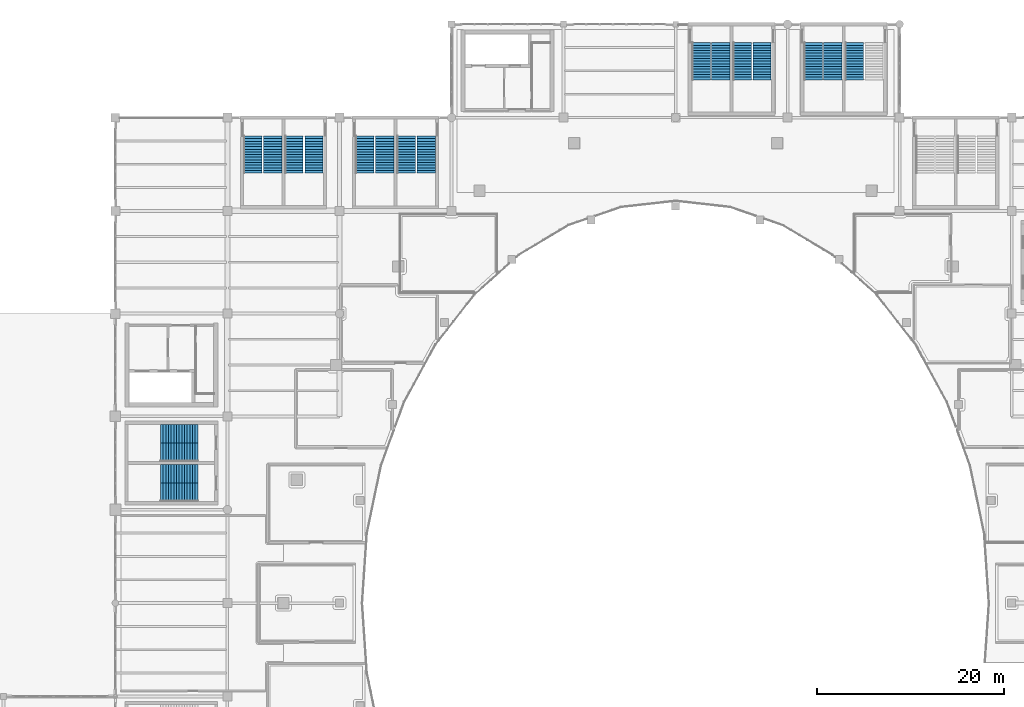
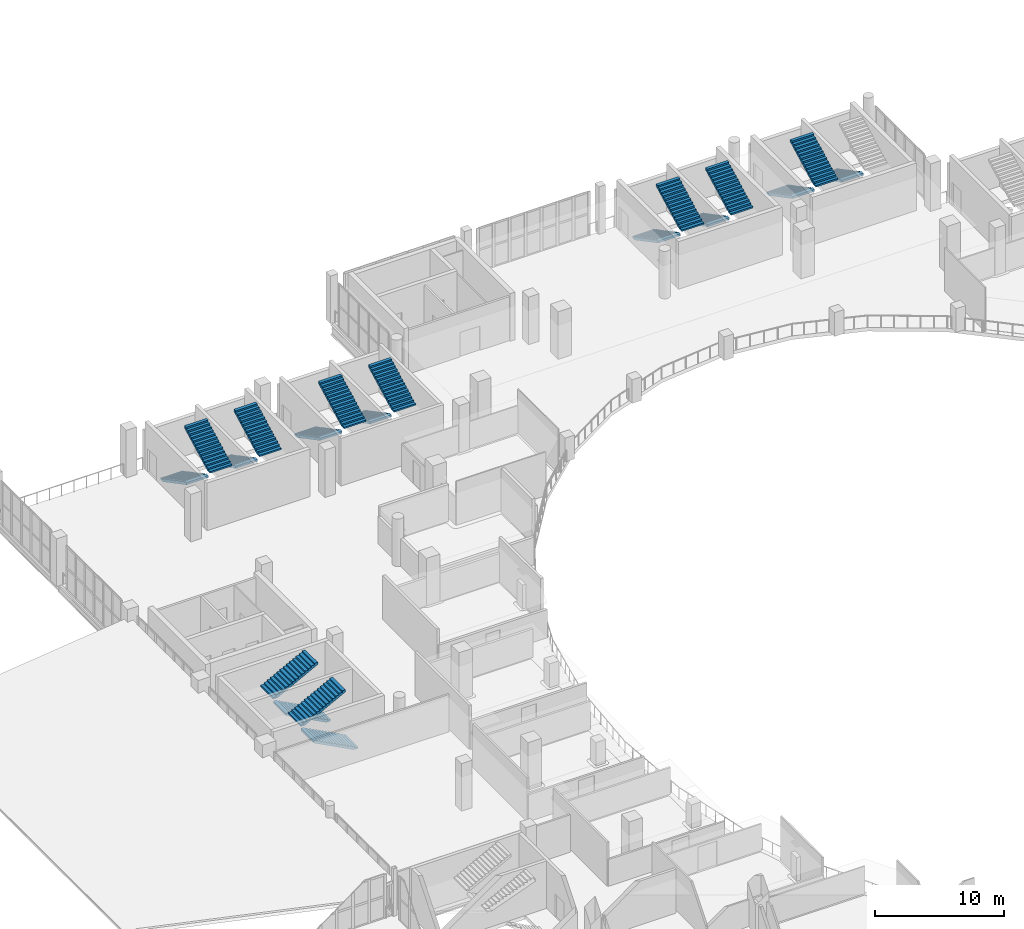
# One storey, part 70 of 90: 19 stair flights, 10 elements without a shape of their own.
"""IFC4 building model written with IfcOpenShell, lengths in metres."""

from ifc_helpers import new_model, si_unit, direction, frame, origin, place, context, subcontext, project, spatial, polyline, outline, extrude, material, layer, layer_set, type_object, element, aggregate, save


model = new_model("IFC4")

# Units and contexts
model_context = context("Model", 3, precision=1e-05, world=origin(), true_north=direction((0.0, 1.0)))
body_context = subcontext(model_context, "Body", "Model", "MODEL_VIEW")
ifc_project = project(units=[si_unit("LENGTHUNIT", "METRE"), si_unit("AREAUNIT", "SQUARE_METRE"), si_unit("VOLUMEUNIT", "CUBIC_METRE"), si_unit("PLANEANGLEUNIT", "RADIAN"), si_unit("MASSUNIT", "GRAM", prefix="KILO")], contexts=[model_context])

# Site, building, storey
site_placement = place(None, origin())
site = spatial("IfcSite", under=ifc_project, at=site_placement, CompositionType="ELEMENT")
building_placement = place(site_placement, origin())
building = spatial("IfcBuilding", under=site, at=building_placement, Name="Brinegate Civic Arena", CompositionType="ELEMENT")
storey_placement = place(building_placement, frame((0.0, 0.0, 14.699951171875)))
storey = spatial("IfcBuildingStorey", under=building, at=storey_placement, Name="L03", CompositionType="ELEMENT", Elevation=14.699951171875)

# Stair, stair flights
ifc_material = material(Name="Concrete C40/50", Category="concrete")
stair_type_1 = type_object("IfcStairType", Name="STAIR-EXIT-3700", PredefinedType="HALF_TURN_STAIR", material=ifc_material)
stair_1_placement = place(storey_placement, origin())
stair_1 = element("IfcStair", 1, at=stair_1_placement, inside=storey, type_object=stair_type_1, Name="Protected Exit Stair ST-01B (L03)", PredefinedType="HALF_TURN_STAIR")
ifc_layer_1 = layer(ifc_material, 0.179931640625, Name="Concrete C40/50")
ifc_layer_set_1 = layer_set([ifc_layer_1], Name="Concrete C40/50")
stair_flight_type_1 = type_object("IfcStairFlightType", Name="FLIGHT-EXIT-3700", PredefinedType="STRAIGHT", material=ifc_layer_set_1)
stair_flight_1_placement = place(storey_placement, frame((67.139892578125, 112.030029296875, 0.0), z_axis=(0.0, 0.0, 1.0), x_axis=(0.0, -1.0, 0.0)))
stair_flight_1 = element("IfcStairFlight", 2, at=stair_flight_1_placement, type_object=stair_flight_type_1, Name="ST-01B flight 1", NumberOfRisers=15, NumberOfTreads=14, PredefinedType="STRAIGHT", RiserHeight=0.15, TreadLength=0.285, context=body_context, shape_type="SweptSolid", body=[
    extrude(outline(polyline([(0.0, 0.0), (0.0, 0.14990234375), (0.284912109375, 0.14990234375), (0.284912109375, 0.300048828125), (0.570068359375, 0.300048828125), (0.570068359375, 0.449951171875), (0.85498046875, 0.449951171875), (0.85498046875, 0.60009765625), (1.139892578125, 0.60009765625), (1.139892578125, 0.75), (1.425048828125, 0.75), (1.425048828125, 0.89990234375), (1.7099609375, 0.89990234375), (1.7099609375, 1.050048828125), (1.9951171875, 1.050048828125), (1.9951171875, 1.199951171875), (2.280029296875, 1.199951171875), (2.280029296875, 1.35009765625), (2.56494140625, 1.35009765625), (2.56494140625, 1.5), (2.85009765625, 1.5), (2.85009765625, 1.64990234375), (3.135009765625, 1.64990234375), (3.135009765625, 1.800048828125), (3.419921875, 1.800048828125), (3.419921875, 1.949951171875), (3.705078125, 1.949951171875), (3.705078125, 2.10009765625), (3.989990234375, 2.10009765625), (3.989990234375, 2.25), (3.989990234375, 1.896728515625), (0.38623046875, 0.0), (0.0, 0.0)])), frame((0.0, 0.97998046875, 0.0), z_axis=(0.0, -1.0, 0.0), x_axis=(1.0, 0.0, 0.0)), (0.0, 0.0, 1.0), 1.9599609375),
])
stair_flight_2_placement = place(storey_placement, frame((69.280029296875, 108.0400390625, 2.25), z_axis=(0.0, 0.0, 1.0), x_axis=(0.0, 1.0, 0.0)))
stair_flight_2 = element("IfcStairFlight", 3, at=stair_flight_2_placement, type_object=stair_flight_type_1, Name="ST-01B flight 2", NumberOfRisers=15, NumberOfTreads=14, PredefinedType="STRAIGHT", RiserHeight=0.15, TreadLength=0.285, context=body_context, shape_type="SweptSolid", body=[
    extrude(outline(polyline([(0.0, 0.0), (0.0, 0.14990234375), (0.284912109375, 0.14990234375), (0.284912109375, 0.300048828125), (0.570068359375, 0.300048828125), (0.570068359375, 0.449951171875), (0.85498046875, 0.449951171875), (0.85498046875, 0.60009765625), (1.139892578125, 0.60009765625), (1.139892578125, 0.75), (1.425048828125, 0.75), (1.425048828125, 0.89990234375), (1.7099609375, 0.89990234375), (1.7099609375, 1.050048828125), (1.9951171875, 1.050048828125), (1.9951171875, 1.199951171875), (2.280029296875, 1.199951171875), (2.280029296875, 1.35009765625), (2.56494140625, 1.35009765625), (2.56494140625, 1.5), (2.85009765625, 1.5), (2.85009765625, 1.64990234375), (3.135009765625, 1.64990234375), (3.135009765625, 1.800048828125), (3.419921875, 1.800048828125), (3.419921875, 1.949951171875), (3.705078125, 1.949951171875), (3.705078125, 2.10009765625), (3.989990234375, 2.10009765625), (3.989990234375, 2.25), (3.989990234375, 1.896728515625), (0.38623046875, 0.0), (0.0, 0.0)])), frame((0.0, 0.97998046875, 0.0), z_axis=(0.0, -1.0, 0.0), x_axis=(1.0, 0.0, 0.0)), (0.0, 0.0, 1.0), 1.9599609375),
])
aggregate(stair_1, [stair_flight_1, stair_flight_2])

# Stair, stair flight
stair_2_placement = place(storey_placement, origin())
stair_2 = element("IfcStair", 4, at=stair_2_placement, inside=storey, type_object=stair_type_1, Name="Protected Exit Stair ST-03B (L03)", PredefinedType="HALF_TURN_STAIR")
stair_flight_3_placement = place(storey_placement, frame((127.139892578125, 122.030029296875, 0.0), z_axis=(0.0, 0.0, 1.0), x_axis=(0.0, -1.0, 0.0)))
stair_flight_3 = element("IfcStairFlight", 5, at=stair_flight_3_placement, type_object=stair_flight_type_1, Name="ST-03B flight 1", NumberOfRisers=15, NumberOfTreads=14, PredefinedType="STRAIGHT", RiserHeight=0.15, TreadLength=0.285, context=body_context, shape_type="SweptSolid", body=[
    extrude(outline(polyline([(0.0, 0.0), (0.0, 0.14990234375), (0.284912109375, 0.14990234375), (0.284912109375, 0.300048828125), (0.570068359375, 0.300048828125), (0.570068359375, 0.449951171875), (0.85498046875, 0.449951171875), (0.85498046875, 0.60009765625), (1.139892578125, 0.60009765625), (1.139892578125, 0.75), (1.425048828125, 0.75), (1.425048828125, 0.89990234375), (1.7099609375, 0.89990234375), (1.7099609375, 1.050048828125), (1.9951171875, 1.050048828125), (1.9951171875, 1.199951171875), (2.280029296875, 1.199951171875), (2.280029296875, 1.35009765625), (2.56494140625, 1.35009765625), (2.56494140625, 1.5), (2.85009765625, 1.5), (2.85009765625, 1.64990234375), (3.135009765625, 1.64990234375), (3.135009765625, 1.800048828125), (3.419921875, 1.800048828125), (3.419921875, 1.949951171875), (3.705078125, 1.949951171875), (3.705078125, 2.10009765625), (3.989990234375, 2.10009765625), (3.989990234375, 2.25), (3.989990234375, 1.896728515625), (0.38623046875, 0.0), (0.0, 0.0)])), frame((0.0, 0.97998046875, 0.0), z_axis=(0.0, -1.0, 0.0), x_axis=(1.0, 0.0, 0.0)), (0.0, 0.0, 1.0), 1.9599609375),
])
aggregate(stair_2, [stair_flight_3])

# Stair, stair flights
stair_3_placement = place(storey_placement, origin())
stair_3 = element("IfcStair", 6, at=stair_3_placement, inside=storey, type_object=stair_type_1, Name="Protected Exit Stair ST-07B (L03)", PredefinedType="HALF_TURN_STAIR")
stair_flight_4_placement = place(storey_placement, frame((56.830078125, 78.139892578125, 0.0), z_axis=(0.0, 0.0, 1.0), x_axis=(-1.0, 0.0, 0.0)))
stair_flight_4 = element("IfcStairFlight", 7, at=stair_flight_4_placement, type_object=stair_flight_type_1, Name="ST-07B flight 1", NumberOfRisers=15, NumberOfTreads=14, PredefinedType="STRAIGHT", RiserHeight=0.15, TreadLength=0.285, context=body_context, shape_type="SweptSolid", body=[
    extrude(outline(polyline([(0.0, 0.0), (0.0, 0.14990234375), (0.284912109375, 0.14990234375), (0.284912109375, 0.300048828125), (0.570068359375, 0.300048828125), (0.570068359375, 0.449951171875), (0.85498046875, 0.449951171875), (0.85498046875, 0.60009765625), (1.139892578125, 0.60009765625), (1.139892578125, 0.75), (1.425048828125, 0.75), (1.425048828125, 0.89990234375), (1.7099609375, 0.89990234375), (1.7099609375, 1.050048828125), (1.9951171875, 1.050048828125), (1.9951171875, 1.199951171875), (2.280029296875, 1.199951171875), (2.280029296875, 1.35009765625), (2.56494140625, 1.35009765625), (2.56494140625, 1.5), (2.85009765625, 1.5), (2.85009765625, 1.64990234375), (3.135009765625, 1.64990234375), (3.135009765625, 1.800048828125), (3.419921875, 1.800048828125), (3.419921875, 1.949951171875), (3.705078125, 1.949951171875), (3.705078125, 2.10009765625), (3.989990234375, 2.10009765625), (3.989990234375, 2.25), (3.989990234375, 1.896728515625), (0.38623046875, 0.0), (0.0, 0.0)])), frame((0.0, 0.97998046875, 0.0), z_axis=(0.0, -1.0, 0.0), x_axis=(1.0, 0.0, 0.0)), (0.0, 0.0, 1.0), 1.9599609375),
])
stair_flight_5_placement = place(storey_placement, frame((52.840087890625, 80.1298828125, 2.25), z_axis=(0.0, 0.0, 1.0), x_axis=(1.0, 0.0, 0.0)))
stair_flight_5 = element("IfcStairFlight", 8, at=stair_flight_5_placement, type_object=stair_flight_type_1, Name="ST-07B flight 2", NumberOfRisers=15, NumberOfTreads=14, PredefinedType="STRAIGHT", RiserHeight=0.15, TreadLength=0.285, context=body_context, shape_type="SweptSolid", body=[
    extrude(outline(polyline([(0.0, 0.0), (0.0, 0.14990234375), (0.284912109375, 0.14990234375), (0.284912109375, 0.300048828125), (0.570068359375, 0.300048828125), (0.570068359375, 0.449951171875), (0.85498046875, 0.449951171875), (0.85498046875, 0.60009765625), (1.139892578125, 0.60009765625), (1.139892578125, 0.75), (1.425048828125, 0.75), (1.425048828125, 0.89990234375), (1.7099609375, 0.89990234375), (1.7099609375, 1.050048828125), (1.9951171875, 1.050048828125), (1.9951171875, 1.199951171875), (2.280029296875, 1.199951171875), (2.280029296875, 1.35009765625), (2.56494140625, 1.35009765625), (2.56494140625, 1.5), (2.85009765625, 1.5), (2.85009765625, 1.64990234375), (3.135009765625, 1.64990234375), (3.135009765625, 1.800048828125), (3.419921875, 1.800048828125), (3.419921875, 1.949951171875), (3.705078125, 1.949951171875), (3.705078125, 2.10009765625), (3.989990234375, 2.10009765625), (3.989990234375, 2.25), (3.989990234375, 1.896728515625), (0.38623046875, 0.0), (0.0, 0.0)])), frame((0.0, 0.97998046875, 0.0), z_axis=(0.0, -1.0, 0.0), x_axis=(1.0, 0.0, 0.0)), (0.0, 0.0, 1.0), 1.9599609375),
])
aggregate(stair_3, [stair_flight_4, stair_flight_5])

stair_4_placement = place(storey_placement, origin())
stair_4 = element("IfcStair", 9, at=stair_4_placement, inside=storey, type_object=stair_type_1, Name="Protected Exit Stair ST-11B (L03)", PredefinedType="HALF_TURN_STAIR")
stair_flight_6_placement = place(storey_placement, frame((79.139892578125, 112.030029296875, 0.0), z_axis=(0.0, 0.0, 1.0), x_axis=(0.0, -1.0, 0.0)))
stair_flight_6 = element("IfcStairFlight", 10, at=stair_flight_6_placement, type_object=stair_flight_type_1, Name="ST-11B flight 1", NumberOfRisers=15, NumberOfTreads=14, PredefinedType="STRAIGHT", RiserHeight=0.15, TreadLength=0.285, context=body_context, shape_type="SweptSolid", body=[
    extrude(outline(polyline([(0.0, 0.0), (0.0, 0.14990234375), (0.284912109375, 0.14990234375), (0.284912109375, 0.300048828125), (0.570068359375, 0.300048828125), (0.570068359375, 0.449951171875), (0.85498046875, 0.449951171875), (0.85498046875, 0.60009765625), (1.139892578125, 0.60009765625), (1.139892578125, 0.75), (1.425048828125, 0.75), (1.425048828125, 0.89990234375), (1.7099609375, 0.89990234375), (1.7099609375, 1.050048828125), (1.9951171875, 1.050048828125), (1.9951171875, 1.199951171875), (2.280029296875, 1.199951171875), (2.280029296875, 1.35009765625), (2.56494140625, 1.35009765625), (2.56494140625, 1.5), (2.85009765625, 1.5), (2.85009765625, 1.64990234375), (3.135009765625, 1.64990234375), (3.135009765625, 1.800048828125), (3.419921875, 1.800048828125), (3.419921875, 1.949951171875), (3.705078125, 1.949951171875), (3.705078125, 2.10009765625), (3.989990234375, 2.10009765625), (3.989990234375, 2.25), (3.989990234375, 1.896728515625), (0.38623046875, 0.0), (0.0, 0.0)])), frame((0.0, 0.97998046875, 0.0), z_axis=(0.0, -1.0, 0.0), x_axis=(1.0, 0.0, 0.0)), (0.0, 0.0, 1.0), 1.9599609375),
])
stair_flight_7_placement = place(storey_placement, frame((81.31005859375, 108.0400390625, 2.25), z_axis=(0.0, 0.0, 1.0), x_axis=(0.0, 1.0, 0.0)))
stair_flight_7 = element("IfcStairFlight", 11, at=stair_flight_7_placement, type_object=stair_flight_type_1, Name="ST-11B flight 2", NumberOfRisers=15, NumberOfTreads=14, PredefinedType="STRAIGHT", RiserHeight=0.15, TreadLength=0.285, context=body_context, shape_type="SweptSolid", body=[
    extrude(outline(polyline([(0.0, 0.0), (0.0, 0.14990234375), (0.284912109375, 0.14990234375), (0.284912109375, 0.300048828125), (0.570068359375, 0.300048828125), (0.570068359375, 0.449951171875), (0.85498046875, 0.449951171875), (0.85498046875, 0.60009765625), (1.139892578125, 0.60009765625), (1.139892578125, 0.75), (1.425048828125, 0.75), (1.425048828125, 0.89990234375), (1.7099609375, 0.89990234375), (1.7099609375, 1.050048828125), (1.9951171875, 1.050048828125), (1.9951171875, 1.199951171875), (2.280029296875, 1.199951171875), (2.280029296875, 1.35009765625), (2.56494140625, 1.35009765625), (2.56494140625, 1.5), (2.85009765625, 1.5), (2.85009765625, 1.64990234375), (3.135009765625, 1.64990234375), (3.135009765625, 1.800048828125), (3.419921875, 1.800048828125), (3.419921875, 1.949951171875), (3.705078125, 1.949951171875), (3.705078125, 2.10009765625), (3.989990234375, 2.10009765625), (3.989990234375, 2.25), (3.989990234375, 1.896728515625), (0.38623046875, 0.0), (0.0, 0.0)])), frame((0.0, 0.97998046875, 0.0), z_axis=(0.0, -1.0, 0.0), x_axis=(1.0, 0.0, 0.0)), (0.0, 0.0, 1.0), 1.9599609375),
])
aggregate(stair_4, [stair_flight_6, stair_flight_7])

stair_5_placement = place(storey_placement, origin())
stair_5 = element("IfcStair", 12, at=stair_5_placement, inside=storey, type_object=stair_type_1, Name="Protected Exit Stair ST-15B (L03)", PredefinedType="HALF_TURN_STAIR")
stair_flight_8_placement = place(storey_placement, frame((115.139892578125, 122.030029296875, 0.0), z_axis=(0.0, 0.0, 1.0), x_axis=(0.0, -1.0, 0.0)))
stair_flight_8 = element("IfcStairFlight", 13, at=stair_flight_8_placement, type_object=stair_flight_type_1, Name="ST-15B flight 1", NumberOfRisers=15, NumberOfTreads=14, PredefinedType="STRAIGHT", RiserHeight=0.15, TreadLength=0.285, context=body_context, shape_type="SweptSolid", body=[
    extrude(outline(polyline([(0.0, 0.0), (0.0, 0.14990234375), (0.284912109375, 0.14990234375), (0.284912109375, 0.300048828125), (0.570068359375, 0.300048828125), (0.570068359375, 0.449951171875), (0.85498046875, 0.449951171875), (0.85498046875, 0.60009765625), (1.139892578125, 0.60009765625), (1.139892578125, 0.75), (1.425048828125, 0.75), (1.425048828125, 0.89990234375), (1.7099609375, 0.89990234375), (1.7099609375, 1.050048828125), (1.9951171875, 1.050048828125), (1.9951171875, 1.199951171875), (2.280029296875, 1.199951171875), (2.280029296875, 1.35009765625), (2.56494140625, 1.35009765625), (2.56494140625, 1.5), (2.85009765625, 1.5), (2.85009765625, 1.64990234375), (3.135009765625, 1.64990234375), (3.135009765625, 1.800048828125), (3.419921875, 1.800048828125), (3.419921875, 1.949951171875), (3.705078125, 1.949951171875), (3.705078125, 2.10009765625), (3.989990234375, 2.10009765625), (3.989990234375, 2.25), (3.989990234375, 1.896728515625), (0.38623046875, 0.0), (0.0, 0.0)])), frame((0.0, 0.97998046875, 0.0), z_axis=(0.0, -1.0, 0.0), x_axis=(1.0, 0.0, 0.0)), (0.0, 0.0, 1.0), 1.9599609375),
])
stair_flight_9_placement = place(storey_placement, frame((117.260009765625, 118.0400390625, 2.25), z_axis=(0.0, 0.0, 1.0), x_axis=(0.0, 1.0, 0.0)))
stair_flight_9 = element("IfcStairFlight", 14, at=stair_flight_9_placement, type_object=stair_flight_type_1, Name="ST-15B flight 2", NumberOfRisers=15, NumberOfTreads=14, PredefinedType="STRAIGHT", RiserHeight=0.15, TreadLength=0.285, context=body_context, shape_type="SweptSolid", body=[
    extrude(outline(polyline([(0.0, 0.0), (0.0, 0.14990234375), (0.284912109375, 0.14990234375), (0.284912109375, 0.300048828125), (0.570068359375, 0.300048828125), (0.570068359375, 0.449951171875), (0.85498046875, 0.449951171875), (0.85498046875, 0.60009765625), (1.139892578125, 0.60009765625), (1.139892578125, 0.75), (1.425048828125, 0.75), (1.425048828125, 0.89990234375), (1.7099609375, 0.89990234375), (1.7099609375, 1.050048828125), (1.9951171875, 1.050048828125), (1.9951171875, 1.199951171875), (2.280029296875, 1.199951171875), (2.280029296875, 1.35009765625), (2.56494140625, 1.35009765625), (2.56494140625, 1.5), (2.85009765625, 1.5), (2.85009765625, 1.64990234375), (3.135009765625, 1.64990234375), (3.135009765625, 1.800048828125), (3.419921875, 1.800048828125), (3.419921875, 1.949951171875), (3.705078125, 1.949951171875), (3.705078125, 2.10009765625), (3.989990234375, 2.10009765625), (3.989990234375, 2.25), (3.989990234375, 1.896728515625), (0.38623046875, 0.0), (0.0, 0.0)])), frame((0.0, 0.97998046875, 0.0), z_axis=(0.0, -1.0, 0.0), x_axis=(1.0, 0.0, 0.0)), (0.0, 0.0, 1.0), 1.9599609375),
])
aggregate(stair_5, [stair_flight_8, stair_flight_9])

stair_type_2 = type_object("IfcStairType", Name="STAIR-EXIT-3850", PredefinedType="HALF_TURN_STAIR", material=ifc_material)
stair_6_placement = place(storey_placement, origin())
stair_6 = element("IfcStair", 15, at=stair_6_placement, inside=storey, type_object=stair_type_2, Name="Protected Exit Stair ST-01A (L03)", PredefinedType="HALF_TURN_STAIR")
ifc_layer_2 = layer(ifc_material, 0.179931640625, Name="Concrete C40/50")
ifc_layer_set_2 = layer_set([ifc_layer_2], Name="Concrete C40/50")
stair_flight_type_2 = type_object("IfcStairFlightType", Name="FLIGHT-EXIT-3850", PredefinedType="STRAIGHT", material=ifc_layer_set_2)
stair_flight_10_placement = place(storey_placement, frame((62.72998046875, 112.030029296875, 0.0), z_axis=(0.0, 0.0, 1.0), x_axis=(0.0, -1.0, 0.0)))
stair_flight_10 = element("IfcStairFlight", 16, at=stair_flight_10_placement, type_object=stair_flight_type_2, Name="ST-01A flight 1", NumberOfRisers=15, NumberOfTreads=14, PredefinedType="STRAIGHT", RiserHeight=0.15, TreadLength=0.285, context=body_context, shape_type="SweptSolid", body=[
    extrude(outline(polyline([(0.0, 0.0), (0.0, 0.14990234375), (0.284912109375, 0.14990234375), (0.284912109375, 0.300048828125), (0.570068359375, 0.300048828125), (0.570068359375, 0.449951171875), (0.85498046875, 0.449951171875), (0.85498046875, 0.60009765625), (1.139892578125, 0.60009765625), (1.139892578125, 0.75), (1.425048828125, 0.75), (1.425048828125, 0.89990234375), (1.7099609375, 0.89990234375), (1.7099609375, 1.050048828125), (1.9951171875, 1.050048828125), (1.9951171875, 1.199951171875), (2.280029296875, 1.199951171875), (2.280029296875, 1.35009765625), (2.56494140625, 1.35009765625), (2.56494140625, 1.5), (2.85009765625, 1.5), (2.85009765625, 1.64990234375), (3.135009765625, 1.64990234375), (3.135009765625, 1.800048828125), (3.419921875, 1.800048828125), (3.419921875, 1.949951171875), (3.705078125, 1.949951171875), (3.705078125, 2.10009765625), (3.989990234375, 2.10009765625), (3.989990234375, 2.25), (3.989990234375, 1.896728515625), (0.38623046875, 0.0), (0.0, 0.0)])), frame((0.0, 0.989990234375, 0.0), z_axis=(0.0, -1.0, 0.0), x_axis=(1.0, 0.0, 0.0)), (0.0, 0.0, 1.0), 1.97998046875),
])
stair_flight_11_placement = place(storey_placement, frame((64.85009765625, 108.0400390625, 2.25), z_axis=(0.0, 0.0, 1.0), x_axis=(0.0, 1.0, 0.0)))
stair_flight_11 = element("IfcStairFlight", 17, at=stair_flight_11_placement, type_object=stair_flight_type_2, Name="ST-01A flight 2", NumberOfRisers=15, NumberOfTreads=14, PredefinedType="STRAIGHT", RiserHeight=0.15, TreadLength=0.285, context=body_context, shape_type="SweptSolid", body=[
    extrude(outline(polyline([(0.0, 0.0), (0.0, 0.14990234375), (0.284912109375, 0.14990234375), (0.284912109375, 0.300048828125), (0.570068359375, 0.300048828125), (0.570068359375, 0.449951171875), (0.85498046875, 0.449951171875), (0.85498046875, 0.60009765625), (1.139892578125, 0.60009765625), (1.139892578125, 0.75), (1.425048828125, 0.75), (1.425048828125, 0.89990234375), (1.7099609375, 0.89990234375), (1.7099609375, 1.050048828125), (1.9951171875, 1.050048828125), (1.9951171875, 1.199951171875), (2.280029296875, 1.199951171875), (2.280029296875, 1.35009765625), (2.56494140625, 1.35009765625), (2.56494140625, 1.5), (2.85009765625, 1.5), (2.85009765625, 1.64990234375), (3.135009765625, 1.64990234375), (3.135009765625, 1.800048828125), (3.419921875, 1.800048828125), (3.419921875, 1.949951171875), (3.705078125, 1.949951171875), (3.705078125, 2.10009765625), (3.989990234375, 2.10009765625), (3.989990234375, 2.25), (3.989990234375, 1.896728515625), (0.38623046875, 0.0), (0.0, 0.0)])), frame((0.0, 0.989990234375, 0.0), z_axis=(0.0, -1.0, 0.0), x_axis=(1.0, 0.0, 0.0)), (0.0, 0.0, 1.0), 1.97998046875),
])
aggregate(stair_6, [stair_flight_10, stair_flight_11])

stair_7_placement = place(storey_placement, origin())
stair_7 = element("IfcStair", 18, at=stair_7_placement, inside=storey, type_object=stair_type_2, Name="Protected Exit Stair ST-03A (L03)", PredefinedType="HALF_TURN_STAIR")
stair_flight_12_placement = place(storey_placement, frame((122.75, 122.030029296875, 0.0), z_axis=(0.0, 0.0, 1.0), x_axis=(0.0, -1.0, 0.0)))
stair_flight_12 = element("IfcStairFlight", 19, at=stair_flight_12_placement, type_object=stair_flight_type_2, Name="ST-03A flight 1", NumberOfRisers=15, NumberOfTreads=14, PredefinedType="STRAIGHT", RiserHeight=0.15, TreadLength=0.285, context=body_context, shape_type="SweptSolid", body=[
    extrude(outline(polyline([(0.0, 0.0), (0.0, 0.14990234375), (0.284912109375, 0.14990234375), (0.284912109375, 0.300048828125), (0.570068359375, 0.300048828125), (0.570068359375, 0.449951171875), (0.85498046875, 0.449951171875), (0.85498046875, 0.60009765625), (1.139892578125, 0.60009765625), (1.139892578125, 0.75), (1.425048828125, 0.75), (1.425048828125, 0.89990234375), (1.7099609375, 0.89990234375), (1.7099609375, 1.050048828125), (1.9951171875, 1.050048828125), (1.9951171875, 1.199951171875), (2.280029296875, 1.199951171875), (2.280029296875, 1.35009765625), (2.56494140625, 1.35009765625), (2.56494140625, 1.5), (2.85009765625, 1.5), (2.85009765625, 1.64990234375), (3.135009765625, 1.64990234375), (3.135009765625, 1.800048828125), (3.419921875, 1.800048828125), (3.419921875, 1.949951171875), (3.705078125, 1.949951171875), (3.705078125, 2.10009765625), (3.989990234375, 2.10009765625), (3.989990234375, 2.25), (3.989990234375, 1.896728515625), (0.38623046875, 0.0), (0.0, 0.0)])), frame((0.0, 0.989990234375, 0.0), z_axis=(0.0, -1.0, 0.0), x_axis=(1.0, 0.0, 0.0)), (0.0, 0.0, 1.0), 1.97998046875),
])
stair_flight_13_placement = place(storey_placement, frame((124.85009765625, 118.0400390625, 2.25), z_axis=(0.0, 0.0, 1.0), x_axis=(0.0, 1.0, 0.0)))
stair_flight_13 = element("IfcStairFlight", 20, at=stair_flight_13_placement, type_object=stair_flight_type_2, Name="ST-03A flight 2", NumberOfRisers=15, NumberOfTreads=14, PredefinedType="STRAIGHT", RiserHeight=0.15, TreadLength=0.285, context=body_context, shape_type="SweptSolid", body=[
    extrude(outline(polyline([(0.0, 0.0), (0.0, 0.14990234375), (0.284912109375, 0.14990234375), (0.284912109375, 0.300048828125), (0.570068359375, 0.300048828125), (0.570068359375, 0.449951171875), (0.85498046875, 0.449951171875), (0.85498046875, 0.60009765625), (1.139892578125, 0.60009765625), (1.139892578125, 0.75), (1.425048828125, 0.75), (1.425048828125, 0.89990234375), (1.7099609375, 0.89990234375), (1.7099609375, 1.050048828125), (1.9951171875, 1.050048828125), (1.9951171875, 1.199951171875), (2.280029296875, 1.199951171875), (2.280029296875, 1.35009765625), (2.56494140625, 1.35009765625), (2.56494140625, 1.5), (2.85009765625, 1.5), (2.85009765625, 1.64990234375), (3.135009765625, 1.64990234375), (3.135009765625, 1.800048828125), (3.419921875, 1.800048828125), (3.419921875, 1.949951171875), (3.705078125, 1.949951171875), (3.705078125, 2.10009765625), (3.989990234375, 2.10009765625), (3.989990234375, 2.25), (3.989990234375, 1.896728515625), (0.38623046875, 0.0), (0.0, 0.0)])), frame((0.0, 0.989990234375, 0.0), z_axis=(0.0, -1.0, 0.0), x_axis=(1.0, 0.0, 0.0)), (0.0, 0.0, 1.0), 1.97998046875),
])
aggregate(stair_7, [stair_flight_12, stair_flight_13])

stair_8_placement = place(storey_placement, origin())
stair_8 = element("IfcStair", 21, at=stair_8_placement, inside=storey, type_object=stair_type_2, Name="Protected Exit Stair ST-07A (L03)", PredefinedType="HALF_TURN_STAIR")
stair_flight_14_placement = place(storey_placement, frame((56.830078125, 73.8779296875, 0.0), z_axis=(0.0, 0.0, 1.0), x_axis=(-1.0, 0.0, 0.0)))
stair_flight_14 = element("IfcStairFlight", 22, at=stair_flight_14_placement, type_object=stair_flight_type_2, Name="ST-07A flight 1", NumberOfRisers=15, NumberOfTreads=14, PredefinedType="STRAIGHT", RiserHeight=0.15, TreadLength=0.285, context=body_context, shape_type="SweptSolid", body=[
    extrude(outline(polyline([(0.0, 0.0), (0.0, 0.14990234375), (0.284912109375, 0.14990234375), (0.284912109375, 0.300048828125), (0.570068359375, 0.300048828125), (0.570068359375, 0.449951171875), (0.85498046875, 0.449951171875), (0.85498046875, 0.60009765625), (1.139892578125, 0.60009765625), (1.139892578125, 0.75), (1.425048828125, 0.75), (1.425048828125, 0.89990234375), (1.7099609375, 0.89990234375), (1.7099609375, 1.050048828125), (1.9951171875, 1.050048828125), (1.9951171875, 1.199951171875), (2.280029296875, 1.199951171875), (2.280029296875, 1.35009765625), (2.56494140625, 1.35009765625), (2.56494140625, 1.5), (2.85009765625, 1.5), (2.85009765625, 1.64990234375), (3.135009765625, 1.64990234375), (3.135009765625, 1.800048828125), (3.419921875, 1.800048828125), (3.419921875, 1.949951171875), (3.705078125, 1.949951171875), (3.705078125, 2.10009765625), (3.989990234375, 2.10009765625), (3.989990234375, 2.25), (3.989990234375, 1.896728515625), (0.38623046875, 0.0), (0.0, 0.0)])), frame((0.0, 0.987548828125, 0.0), z_axis=(0.0, -1.0, 0.0), x_axis=(1.0, 0.0, 0.0)), (0.0, 0.0, 1.0), 1.97509765625),
])
stair_flight_15_placement = place(storey_placement, frame((52.840087890625, 75.85302734375, 2.25), z_axis=(0.0, 0.0, 1.0), x_axis=(1.0, 0.0, 0.0)))
stair_flight_15 = element("IfcStairFlight", 23, at=stair_flight_15_placement, type_object=stair_flight_type_2, Name="ST-07A flight 2", NumberOfRisers=15, NumberOfTreads=14, PredefinedType="STRAIGHT", RiserHeight=0.15, TreadLength=0.285, context=body_context, shape_type="SweptSolid", body=[
    extrude(outline(polyline([(0.0, 0.0), (0.0, 0.14990234375), (0.284912109375, 0.14990234375), (0.284912109375, 0.300048828125), (0.570068359375, 0.300048828125), (0.570068359375, 0.449951171875), (0.85498046875, 0.449951171875), (0.85498046875, 0.60009765625), (1.139892578125, 0.60009765625), (1.139892578125, 0.75), (1.425048828125, 0.75), (1.425048828125, 0.89990234375), (1.7099609375, 0.89990234375), (1.7099609375, 1.050048828125), (1.9951171875, 1.050048828125), (1.9951171875, 1.199951171875), (2.280029296875, 1.199951171875), (2.280029296875, 1.35009765625), (2.56494140625, 1.35009765625), (2.56494140625, 1.5), (2.85009765625, 1.5), (2.85009765625, 1.64990234375), (3.135009765625, 1.64990234375), (3.135009765625, 1.800048828125), (3.419921875, 1.800048828125), (3.419921875, 1.949951171875), (3.705078125, 1.949951171875), (3.705078125, 2.10009765625), (3.989990234375, 2.10009765625), (3.989990234375, 2.25), (3.989990234375, 1.896728515625), (0.38623046875, 0.0), (0.0, 0.0)])), frame((0.0, 0.987548828125, 0.0), z_axis=(0.0, -1.0, 0.0), x_axis=(1.0, 0.0, 0.0)), (0.0, 0.0, 1.0), 1.97509765625),
])
aggregate(stair_8, [stair_flight_14, stair_flight_15])

stair_9_placement = place(storey_placement, origin())
stair_9 = element("IfcStair", 24, at=stair_9_placement, inside=storey, type_object=stair_type_2, Name="Protected Exit Stair ST-11A (L03)", PredefinedType="HALF_TURN_STAIR")
stair_flight_16_placement = place(storey_placement, frame((74.699951171875, 112.030029296875, 0.0), z_axis=(0.0, 0.0, 1.0), x_axis=(0.0, -1.0, 0.0)))
stair_flight_16 = element("IfcStairFlight", 25, at=stair_flight_16_placement, type_object=stair_flight_type_2, Name="ST-11A flight 1", NumberOfRisers=15, NumberOfTreads=14, PredefinedType="STRAIGHT", RiserHeight=0.15, TreadLength=0.285, context=body_context, shape_type="SweptSolid", body=[
    extrude(outline(polyline([(0.0, 0.0), (0.0, 0.14990234375), (0.284912109375, 0.14990234375), (0.284912109375, 0.300048828125), (0.570068359375, 0.300048828125), (0.570068359375, 0.449951171875), (0.85498046875, 0.449951171875), (0.85498046875, 0.60009765625), (1.139892578125, 0.60009765625), (1.139892578125, 0.75), (1.425048828125, 0.75), (1.425048828125, 0.89990234375), (1.7099609375, 0.89990234375), (1.7099609375, 1.050048828125), (1.9951171875, 1.050048828125), (1.9951171875, 1.199951171875), (2.280029296875, 1.199951171875), (2.280029296875, 1.35009765625), (2.56494140625, 1.35009765625), (2.56494140625, 1.5), (2.85009765625, 1.5), (2.85009765625, 1.64990234375), (3.135009765625, 1.64990234375), (3.135009765625, 1.800048828125), (3.419921875, 1.800048828125), (3.419921875, 1.949951171875), (3.705078125, 1.949951171875), (3.705078125, 2.10009765625), (3.989990234375, 2.10009765625), (3.989990234375, 2.25), (3.989990234375, 1.896728515625), (0.38623046875, 0.0), (0.0, 0.0)])), frame((0.0, 0.989990234375, 0.0), z_axis=(0.0, -1.0, 0.0), x_axis=(1.0, 0.0, 0.0)), (0.0, 0.0, 1.0), 1.97998046875),
])
stair_flight_17_placement = place(storey_placement, frame((76.85009765625, 108.0400390625, 2.25), z_axis=(0.0, 0.0, 1.0), x_axis=(0.0, 1.0, 0.0)))
stair_flight_17 = element("IfcStairFlight", 26, at=stair_flight_17_placement, type_object=stair_flight_type_2, Name="ST-11A flight 2", NumberOfRisers=15, NumberOfTreads=14, PredefinedType="STRAIGHT", RiserHeight=0.15, TreadLength=0.285, context=body_context, shape_type="SweptSolid", body=[
    extrude(outline(polyline([(0.0, 0.0), (0.0, 0.14990234375), (0.284912109375, 0.14990234375), (0.284912109375, 0.300048828125), (0.570068359375, 0.300048828125), (0.570068359375, 0.449951171875), (0.85498046875, 0.449951171875), (0.85498046875, 0.60009765625), (1.139892578125, 0.60009765625), (1.139892578125, 0.75), (1.425048828125, 0.75), (1.425048828125, 0.89990234375), (1.7099609375, 0.89990234375), (1.7099609375, 1.050048828125), (1.9951171875, 1.050048828125), (1.9951171875, 1.199951171875), (2.280029296875, 1.199951171875), (2.280029296875, 1.35009765625), (2.56494140625, 1.35009765625), (2.56494140625, 1.5), (2.85009765625, 1.5), (2.85009765625, 1.64990234375), (3.135009765625, 1.64990234375), (3.135009765625, 1.800048828125), (3.419921875, 1.800048828125), (3.419921875, 1.949951171875), (3.705078125, 1.949951171875), (3.705078125, 2.10009765625), (3.989990234375, 2.10009765625), (3.989990234375, 2.25), (3.989990234375, 1.896728515625), (0.38623046875, 0.0), (0.0, 0.0)])), frame((0.0, 0.989990234375, 0.0), z_axis=(0.0, -1.0, 0.0), x_axis=(1.0, 0.0, 0.0)), (0.0, 0.0, 1.0), 1.97998046875),
])
aggregate(stair_9, [stair_flight_16, stair_flight_17])

stair_10_placement = place(storey_placement, origin())
stair_10 = element("IfcStair", 27, at=stair_10_placement, inside=storey, type_object=stair_type_2, Name="Protected Exit Stair ST-15A (L03)", PredefinedType="HALF_TURN_STAIR")
stair_flight_18_placement = place(storey_placement, frame((110.75, 122.030029296875, 0.0), z_axis=(0.0, 0.0, 1.0), x_axis=(0.0, -1.0, 0.0)))
stair_flight_18 = element("IfcStairFlight", 28, at=stair_flight_18_placement, type_object=stair_flight_type_2, Name="ST-15A flight 1", NumberOfRisers=15, NumberOfTreads=14, PredefinedType="STRAIGHT", RiserHeight=0.15, TreadLength=0.285, context=body_context, shape_type="SweptSolid", body=[
    extrude(outline(polyline([(0.0, 0.0), (0.0, 0.14990234375), (0.284912109375, 0.14990234375), (0.284912109375, 0.300048828125), (0.570068359375, 0.300048828125), (0.570068359375, 0.449951171875), (0.85498046875, 0.449951171875), (0.85498046875, 0.60009765625), (1.139892578125, 0.60009765625), (1.139892578125, 0.75), (1.425048828125, 0.75), (1.425048828125, 0.89990234375), (1.7099609375, 0.89990234375), (1.7099609375, 1.050048828125), (1.9951171875, 1.050048828125), (1.9951171875, 1.199951171875), (2.280029296875, 1.199951171875), (2.280029296875, 1.35009765625), (2.56494140625, 1.35009765625), (2.56494140625, 1.5), (2.85009765625, 1.5), (2.85009765625, 1.64990234375), (3.135009765625, 1.64990234375), (3.135009765625, 1.800048828125), (3.419921875, 1.800048828125), (3.419921875, 1.949951171875), (3.705078125, 1.949951171875), (3.705078125, 2.10009765625), (3.989990234375, 2.10009765625), (3.989990234375, 2.25), (3.989990234375, 1.896728515625), (0.38623046875, 0.0), (0.0, 0.0)])), frame((0.0, 0.989990234375, 0.0), z_axis=(0.0, -1.0, 0.0), x_axis=(1.0, 0.0, 0.0)), (0.0, 0.0, 1.0), 1.97998046875),
])
stair_flight_19_placement = place(storey_placement, frame((112.85009765625, 118.0400390625, 2.25), z_axis=(0.0, 0.0, 1.0), x_axis=(0.0, 1.0, 0.0)))
stair_flight_19 = element("IfcStairFlight", 29, at=stair_flight_19_placement, type_object=stair_flight_type_2, Name="ST-15A flight 2", NumberOfRisers=15, NumberOfTreads=14, PredefinedType="STRAIGHT", RiserHeight=0.15, TreadLength=0.285, context=body_context, shape_type="SweptSolid", body=[
    extrude(outline(polyline([(0.0, 0.0), (0.0, 0.14990234375), (0.284912109375, 0.14990234375), (0.284912109375, 0.300048828125), (0.570068359375, 0.300048828125), (0.570068359375, 0.449951171875), (0.85498046875, 0.449951171875), (0.85498046875, 0.60009765625), (1.139892578125, 0.60009765625), (1.139892578125, 0.75), (1.425048828125, 0.75), (1.425048828125, 0.89990234375), (1.7099609375, 0.89990234375), (1.7099609375, 1.050048828125), (1.9951171875, 1.050048828125), (1.9951171875, 1.199951171875), (2.280029296875, 1.199951171875), (2.280029296875, 1.35009765625), (2.56494140625, 1.35009765625), (2.56494140625, 1.5), (2.85009765625, 1.5), (2.85009765625, 1.64990234375), (3.135009765625, 1.64990234375), (3.135009765625, 1.800048828125), (3.419921875, 1.800048828125), (3.419921875, 1.949951171875), (3.705078125, 1.949951171875), (3.705078125, 2.10009765625), (3.989990234375, 2.10009765625), (3.989990234375, 2.25), (3.989990234375, 1.896728515625), (0.38623046875, 0.0), (0.0, 0.0)])), frame((0.0, 0.989990234375, 0.0), z_axis=(0.0, -1.0, 0.0), x_axis=(1.0, 0.0, 0.0)), (0.0, 0.0, 1.0), 1.97998046875),
])
aggregate(stair_10, [stair_flight_18, stair_flight_19])

save(model, "model.ifc")
